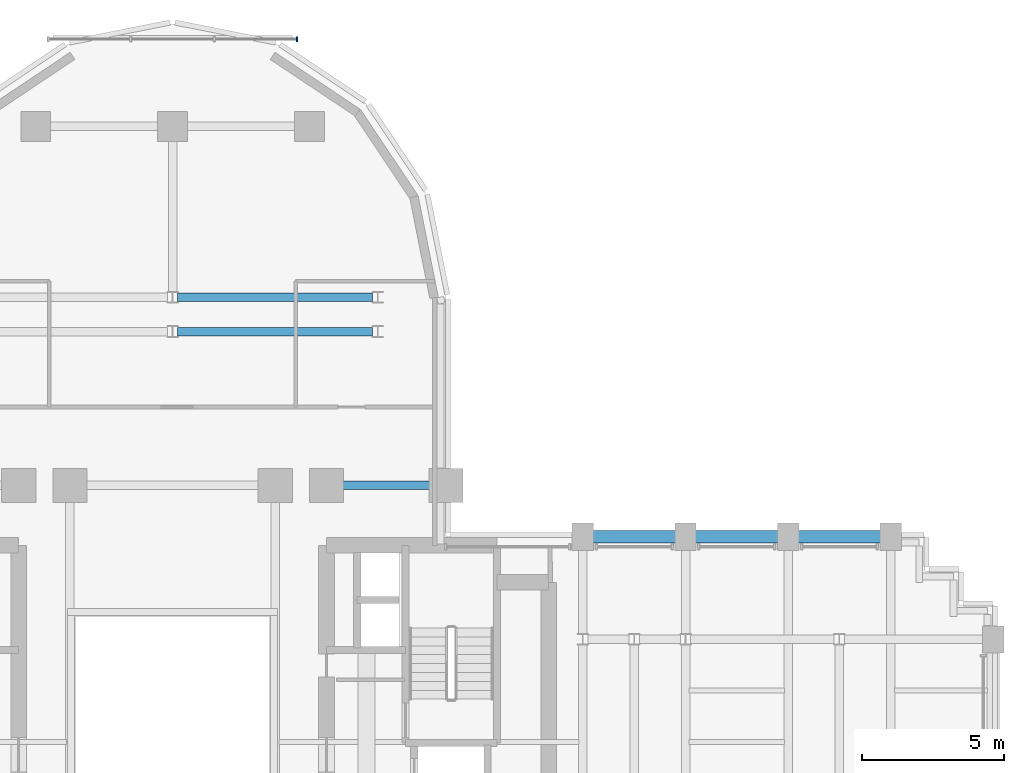
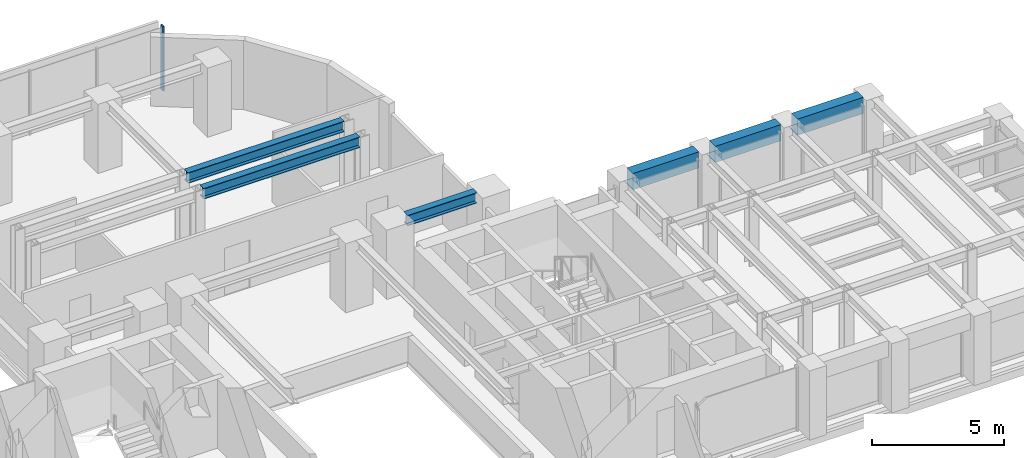
# One storey, part 8 of 16: 6 beams, 1 member, 1 element without a shape of its own.
"""IFC4 building model written with IfcOpenShell, lengths in metres."""

from ifc_helpers import new_model, si_unit, direction, frame, origin, origin_2d, place, context, subcontext, project, spatial, rectangle, i_section, extrude, source, transform, mapped, material, material_profile, profile_set, type_object, element, aggregate, save


model = new_model("IFC4")

# Units and contexts
model_context = context("Model", 3, precision=1e-05, world=origin(), true_north=direction((0.0, 1.0)))
body_context = subcontext(model_context, "Body", "Model", "MODEL_VIEW")
ifc_project = project(units=[si_unit("LENGTHUNIT", "METRE"), si_unit("AREAUNIT", "SQUARE_METRE"), si_unit("VOLUMEUNIT", "CUBIC_METRE"), si_unit("PLANEANGLEUNIT", "RADIAN"), si_unit("MASSUNIT", "GRAM", prefix="KILO")], contexts=[model_context])

# Site, building, storey
site_placement = place(None, origin())
site = spatial("IfcSite", under=ifc_project, at=site_placement, CompositionType="ELEMENT")
building_placement = place(site_placement, origin())
building = spatial("IfcBuilding", under=site, at=building_placement, Name="Keilestroom Media Tower", CompositionType="ELEMENT")
storey_placement = place(building_placement, frame((0.0, 0.0, 68.0)))
storey = spatial("IfcBuildingStorey", under=building, at=storey_placement, Name="L17", CompositionType="ELEMENT", Elevation=68.0)

# Beams
ifc_material_1 = material(Name="Precast concrete C40/50", Category="concrete")
ifc_material_profile_1 = material_profile(ifc_material_1, rectangle(XDim=0.449951171875, YDim=0.75, at=origin_2d()), Name="PC 450x750")
ifc_profile_set_1 = profile_set([ifc_material_profile_1], Name="Precast concrete C40/50")
beam_type_1 = type_object("IfcBeamType", Name="Perimeter-Spandrel-Beam-PC-450x750", PredefinedType="SPANDREL", material=ifc_profile_set_1)
shared_shape_1 = source(origin(), body_context, "Body", "SweptSolid", [
    extrude(rectangle(XDim=0.449951171875, YDim=0.75, at=origin_2d()), origin(), (0.0, 0.0, 1.0), 2.889892578125),
])
beam_1_placement = place(storey_placement, frame((21.955078125, 7.199951171875, 2.824951171875), z_axis=(1.0, 0.0, 0.0), x_axis=(0.0, 1.0, 0.0)))
element("IfcBeam", 1, at=beam_1_placement, inside=storey, type_object=beam_type_1, Name="L17 Beam SPB-1 BM-L17-EW-039", PredefinedType="SPANDREL", context=body_context, shape_type="MappedRepresentation", body=[
    mapped(shared_shape_1, transform((0.0, 0.0, 0.0), x_axis=(1.0, 0.0, 0.0), y_axis=(0.0, 1.0, 0.0), z_axis=(0.0, 0.0, 1.0), scale=1.0)),
])
shared_shape_2 = source(origin(), body_context, "Body", "SweptSolid", [
    extrude(rectangle(XDim=0.449951171875, YDim=0.75, at=origin_2d()), origin(), (0.0, 0.0, 1.0), 2.89013671875),
])
for number, where, z_axis, x_axis, name in (
    (2, (14.7548828125, 7.199951171875, 2.824951171875), (1.0, 0.0, 0.0), (0.0, 1.0, 0.0), "L17 Beam SPB-1 BM-L17-EW-037"),
    (3, (18.35498046875, 7.199951171875, 2.824951171875), (1.0, 0.0, 0.0), (0.0, 1.0, 0.0), "L17 Beam SPB-1 BM-L17-EW-038"),
):
    element("IfcBeam", number, at=place(storey_placement, frame(where, z_axis=z_axis, x_axis=x_axis)), inside=storey, type_object=beam_type_1, Name=name, PredefinedType="SPANDREL", context=body_context, shape_type="MappedRepresentation", body=[
        mapped(shared_shape_2, transform((0.0, 0.0, 0.0), x_axis=(1.0, 0.0, 0.0), y_axis=(0.0, 1.0, 0.0), z_axis=(0.0, 0.0, 1.0), scale=1.0)),
    ])
ifc_material_2 = material(Name="Steel S355", Category="steel")
ifc_material_profile_2 = material_profile(ifc_material_2, i_section(OverallWidth=0.300048828125, OverallDepth=0.489990234375, WebThickness=0.011962890625, FlangeThickness=0.02294921875, at=origin_2d()), Name="HEA 500")
ifc_profile_set_2 = profile_set([ifc_material_profile_2], Name="Steel S355")
beam_type_2 = type_object("IfcBeamType", Name="Primary-Structural-Girder-HEA-500", PredefinedType="BEAM", material=ifc_profile_set_2)
shared_shape_3 = source(origin(), body_context, "Body", "SweptSolid", [
    extrude(i_section(OverallWidth=0.300048828125, OverallDepth=0.489990234375, WebThickness=0.011962890625, FlangeThickness=0.02294921875, at=origin_2d()), origin(), (0.0, 0.0, 1.0), 6.836181640625),
])
for number, where, z_axis, x_axis, name in (
    (4, (0.181884765625, 14.39990234375, 2.955078125), (1.0, 0.0, 0.0), (0.0, 1.0, 0.0), "L17 Beam BG-10 BM-L17-EW-046"),
    (5, (0.181884765625, 15.60009765625, 2.955078125), (1.0, 0.0, 0.0), (0.0, 1.0, 0.0), "L17 Beam BG-10 BM-L17-EW-048"),
):
    element("IfcBeam", number, at=place(storey_placement, frame(where, z_axis=z_axis, x_axis=x_axis)), inside=storey, type_object=beam_type_2, Name=name, PredefinedType="BEAM", context=body_context, shape_type="MappedRepresentation", body=[
        mapped(shared_shape_3, transform((0.0, 0.0, 0.0), x_axis=(1.0, 0.0, 0.0), y_axis=(0.0, 1.0, 0.0), z_axis=(0.0, 0.0, 1.0), scale=1.0)),
    ])
shared_shape_4 = source(origin(), body_context, "Body", "SweptSolid", [
    extrude(i_section(OverallWidth=0.300048828125, OverallDepth=0.489990234375, WebThickness=0.011962890625, FlangeThickness=0.02294921875, at=origin_2d()), origin(), (0.0, 0.0, 1.0), 3.0400390625),
])
beam_2_placement = place(storey_placement, frame((5.97998046875, 9.0, 2.955078125), z_axis=(1.0, 0.0, 0.0), x_axis=(0.0, 1.0, 0.0)))
element("IfcBeam", 6, at=beam_2_placement, inside=storey, type_object=beam_type_2, Name="L17 Beam BG-10 BM-L17-EW-044", PredefinedType="BEAM", context=body_context, shape_type="MappedRepresentation", body=[
    mapped(shared_shape_4, transform((0.0, 0.0, 0.0), x_axis=(1.0, 0.0, 0.0), y_axis=(0.0, 1.0, 0.0), z_axis=(0.0, 0.0, 1.0), scale=1.0)),
])

# Curtain wall, member
ifc_material_3 = material(Name="Anodised Aluminium Alloy", Category="aluminium")
curtain_wall_type = type_object("IfcCurtainWallType", Name="Unitised-Curtain-Wall-CW-6", PredefinedType="NOTDEFINED", material=ifc_material_3)
curtain_wall_placement = place(storey_placement, origin())
curtain_wall = element("IfcCurtainWall", 7, at=curtain_wall_placement, inside=storey, type_object=curtain_wall_type, Name="L17 Curtain Wall CW-6 CW-L17-LN-1", PredefinedType="NOTDEFINED")
ifc_material_profile_3 = material_profile(ifc_material_3, rectangle(XDim=0.06494140625, YDim=0.179931640625, at=origin_2d()), Name="ALU MULLION 65x180")
ifc_profile_set_3 = profile_set([ifc_material_profile_3], Name="Anodised Aluminium Alloy")
member_type = type_object("IfcMemberType", Name="Curtain-Wall-Mullion-CW-6", PredefinedType="MULLION", material=ifc_profile_set_3)
shared_shape_5 = source(origin(), body_context, "Body", "SweptSolid", [
    extrude(rectangle(XDim=0.06494140625, YDim=0.179931640625, at=origin_2d()), origin(), (0.0, 0.0, 1.0), 2.97998046875),
])
member_placement = place(storey_placement, frame((4.367431640625, 24.64990234375, 0.0), z_axis=(0.0, 0.0, 1.0), x_axis=(1.0, 0.0, 0.0)))
member = element("IfcMember", 8, at=member_placement, type_object=member_type, Name="CW-6 Mullion 03", PredefinedType="MULLION", context=body_context, shape_type="MappedRepresentation", body=[
    mapped(shared_shape_5, transform((0.0, 0.0, 0.0), x_axis=(1.0, 0.0, 0.0), y_axis=(0.0, 1.0, 0.0), z_axis=(0.0, 0.0, 1.0), scale=1.0)),
])
aggregate(curtain_wall, [member])

save(model, "model.ifc")
